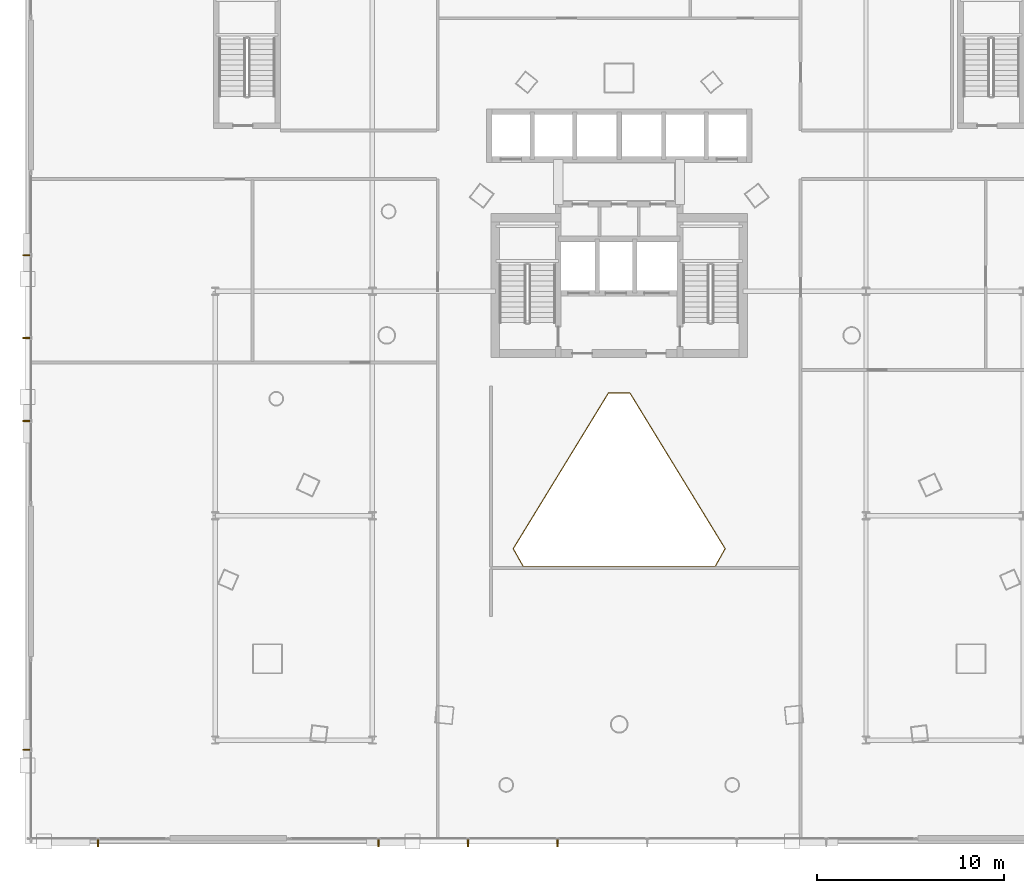
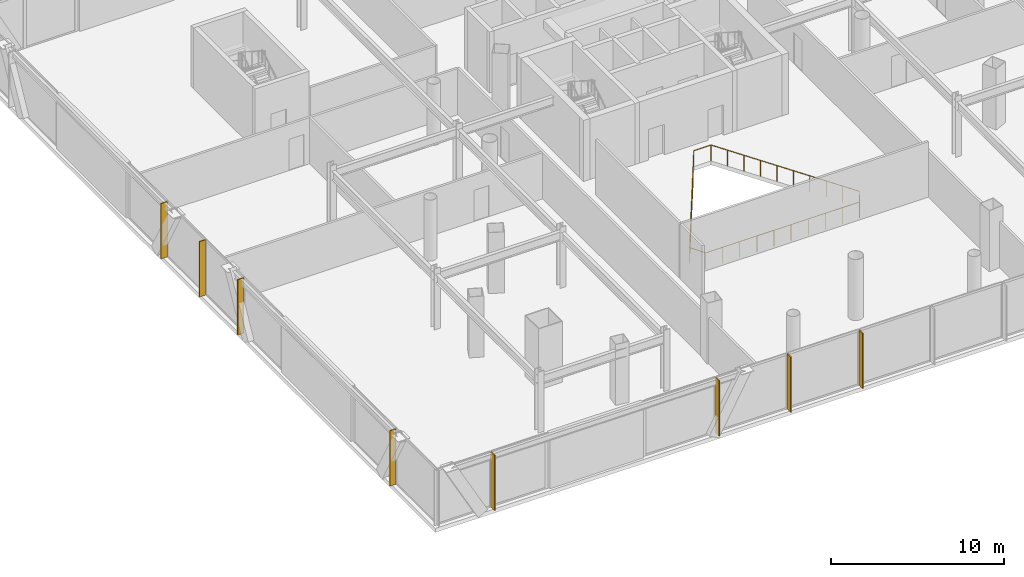
# One storey, part 40 of 46: 8 shading devices, 1 railing.
"""IFC4 building model written with IfcOpenShell, lengths in metres."""

from ifc_helpers import new_model, si_unit, direction, frame, origin, origin_2d, place, context, subcontext, project, spatial, rectangle, circle, extrude, material, layer, layer_set, type_object, element, save


model = new_model("IFC4")

# Units and contexts
model_context = context("Model", 3, precision=1e-05, world=origin(), true_north=direction((0.0, 1.0)))
body_context = subcontext(model_context, "Body", "Model", "MODEL_VIEW")
ifc_project = project(units=[si_unit("LENGTHUNIT", "METRE"), si_unit("AREAUNIT", "SQUARE_METRE"), si_unit("VOLUMEUNIT", "CUBIC_METRE"), si_unit("PLANEANGLEUNIT", "RADIAN"), si_unit("MASSUNIT", "GRAM", prefix="KILO")], contexts=[model_context])

# Site, building, storey
site_placement = place(None, origin())
site = spatial("IfcSite", under=ifc_project, at=site_placement, CompositionType="ELEMENT")
building_placement = place(site_placement, origin())
building = spatial("IfcBuilding", under=site, at=building_placement, Name="Orvanel Arch Residences", CompositionType="ELEMENT")
storey_placement = place(building_placement, frame((0.0, 0.0, 14.10009765625)))
storey = spatial("IfcBuildingStorey", under=building, at=storey_placement, Name="L03", CompositionType="ELEMENT", Elevation=14.10009765625)

# Shading devices
ifc_material = material(Name="Bronze-anodised aluminium AA6063-T6", Category="aluminium")
ifc_layer = layer(ifc_material, 0.06494140625)
ifc_layer_set = layer_set([ifc_layer], Name="Bronze-anodised aluminium AA6063-T6")
shading_device_type = type_object("IfcShadingDeviceType", Name="FIN-BRZ-420", PredefinedType="USERDEFINED", material=ifc_layer_set)
for number, where, z_axis, x_axis, name in (
    (1, (5.135009765625, 0.510009765625, 0.0), (0.0, 0.0, 1.0), (0.0, -1.0, 0.0), "L03 Anodised Bronze Mullion FIN 01"),
    (2, (20.12890625, 0.510009765625, 0.0), (0.0, 0.0, 1.0), (0.0, -1.0, 0.0), "L03 Anodised Bronze Mullion FIN 01"),
    (3, (24.9169921875, 0.510009765625, 0.0), (0.0, 0.0, 1.0), (0.0, -1.0, 0.0), "L03 Anodised Bronze Mullion FIN 02"),
    (4, (29.7060546875, 0.510009765625, 0.0), (0.0, 0.0, 1.0), (0.0, -1.0, 0.0), "L03 Anodised Bronze Mullion FIN 03"),
    (5, (1.31005859375, 5.485107421875, 0.0), (0.0, 0.0, 1.0), (-1.0, 0.0, 0.0), "L03 Anodised Bronze Mullion FIN 01"),
    (6, (1.31005859375, 31.929931640625, 0.0), (0.0, 0.0, 1.0), (-1.0, 0.0, 0.0), "L03 Anodised Bronze Mullion FIN 01"),
    (7, (1.31005859375, 27.5, 0.0), (0.0, 0.0, 1.0), (-1.0, 0.0, 0.0), "L03 Anodised Bronze Mullion FIN 02"),
    (8, (1.31005859375, 23.070068359375, 0.0), (0.0, 0.0, 1.0), (-1.0, 0.0, 0.0), "L03 Anodised Bronze Mullion FIN 03"),
):
    element("IfcShadingDevice", number, at=place(storey_placement, frame(where, z_axis=z_axis, x_axis=x_axis)), inside=storey, type_object=shading_device_type, Name=name, ObjectType="FIN", PredefinedType="USERDEFINED", context=body_context, shape_type="SweptSolid", body=[
        extrude(rectangle(XDim=0.419921875, YDim=0.06494140625, at=origin_2d()), origin(), (0.0, 0.0, 1.0), 3.89990234375),
    ])

# Railing
railing_type = type_object("IfcRailingType", Name="RL-ATR-1150", PredefinedType="BALUSTRADE", material=ifc_material)
railing_placement = place(storey_placement, frame((33.573974609375, 24.56103515625, 0.0)))
element("IfcRailing", 9, at=railing_placement, inside=storey, type_object=railing_type, Name="L03 Atrium Overlook Balustrade", PredefinedType="BALUSTRADE", context=body_context, shape_type="SweptSolid", body=[
    extrude(circle(Radius=0.02392578125, at=origin_2d()), frame((-0.00146484375, 0.0, 1.1259765625), z_axis=(-1.0, 0.0, 0.0), x_axis=(0.0, -1.0, 0.0)), (0.0, 0.0, 1.0), 1.14501953125),
    extrude(circle(Radius=0.02392578125, at=origin_2d()), frame((-1.148681640625, -0.001220703125, 1.1259765625), z_axis=(-0.521588691776, -0.853197067864, 0.0), x_axis=(0.853197067864, -0.521588691776, 0.0)), (0.0, 0.0, 1.0), 9.751953125),
    extrude(circle(Radius=0.02392578125, at=origin_2d()), frame((-6.2353515625, -8.32421875, 1.1259765625), z_axis=(0.489894911212, -0.871781495542, 0.0), x_axis=(0.871781495542, 0.489894911212, 0.0)), (0.0, 0.0, 1.0), 1.072998046875),
    extrude(circle(Radius=0.02392578125, at=origin_2d()), frame((-5.70751953125, -9.260986328125, 1.1259765625), z_axis=(1.0, 0.0, 0.0), x_axis=(0.0, 1.0, 0.0)), (0.0, 0.0, 1.0), 10.26708984375),
    extrude(circle(Radius=0.02392578125, at=origin_2d()), frame((4.561767578125, -9.259765625, 1.1259765625), z_axis=(0.489894911212, 0.871781495542, 0.0), x_axis=(-0.871781495542, 0.489894911212, 0.0)), (0.0, 0.0, 1.0), 1.072998046875),
    extrude(circle(Radius=0.02392578125, at=origin_2d()), frame((5.08740234375, -8.32177734375, 1.1259765625), z_axis=(-0.521588691776, 0.853197067864, 0.0), x_axis=(-0.853197067864, -0.521588691776, 0.0)), (0.0, 0.0, 1.0), 9.751953125),
    extrude(circle(Radius=0.02099609375, at=origin_2d()), origin(), (0.0, 0.0, 1.0), 1.099853515625),
    extrude(circle(Radius=0.02099609375, at=origin_2d()), frame((-1.14794921875, 0.0, 0.0)), (0.0, 0.0, 1.0), 1.099853515625),
    extrude(circle(Radius=0.02099609375, at=origin_2d()), frame((-1.71337890625, -0.9248046875, 0.0)), (0.0, 0.0, 1.0), 1.099853515625),
    extrude(circle(Radius=0.02099609375, at=origin_2d()), frame((-2.278564453125, -1.849609375, 0.0)), (0.0, 0.0, 1.0), 1.099853515625),
    extrude(circle(Radius=0.02099609375, at=origin_2d()), frame((-2.843994140625, -2.7744140625, 0.0)), (0.0, 0.0, 1.0), 1.099853515625),
    extrude(circle(Radius=0.02099609375, at=origin_2d()), frame((-3.409423828125, -3.69921875, 0.0)), (0.0, 0.0, 1.0), 1.099853515625),
    extrude(circle(Radius=0.02099609375, at=origin_2d()), frame((-3.974609375, -4.623779296875, 0.0)), (0.0, 0.0, 1.0), 1.099853515625),
    extrude(circle(Radius=0.02099609375, at=origin_2d()), frame((-4.5400390625, -5.548583984375, 0.0)), (0.0, 0.0, 1.0), 1.099853515625),
    extrude(circle(Radius=0.02099609375, at=origin_2d()), frame((-5.10546875, -6.473388671875, 0.0)), (0.0, 0.0, 1.0), 1.099853515625),
    extrude(circle(Radius=0.02099609375, at=origin_2d()), frame((-5.670654296875, -7.398193359375, 0.0)), (0.0, 0.0, 1.0), 1.099853515625),
    extrude(circle(Radius=0.02099609375, at=origin_2d()), frame((-6.236083984375, -8.322998046875, 0.0)), (0.0, 0.0, 1.0), 1.099853515625),
    extrude(circle(Radius=0.02099609375, at=origin_2d()), frame((-5.708984375, -9.260986328125, 0.0)), (0.0, 0.0, 1.0), 1.099853515625),
    extrude(circle(Radius=0.02099609375, at=origin_2d()), frame((-4.56787109375, -9.260986328125, 0.0)), (0.0, 0.0, 1.0), 1.099853515625),
    extrude(circle(Radius=0.02099609375, at=origin_2d()), frame((-3.4267578125, -9.260986328125, 0.0)), (0.0, 0.0, 1.0), 1.099853515625),
    extrude(circle(Radius=0.02099609375, at=origin_2d()), frame((-2.28564453125, -9.260986328125, 0.0)), (0.0, 0.0, 1.0), 1.099853515625),
    extrude(circle(Radius=0.02099609375, at=origin_2d()), frame((-1.14453125, -9.260986328125, 0.0)), (0.0, 0.0, 1.0), 1.099853515625),
    extrude(circle(Radius=0.02099609375, at=origin_2d()), frame((-0.00341796875, -9.260986328125, 0.0)), (0.0, 0.0, 1.0), 1.099853515625),
    extrude(circle(Radius=0.02099609375, at=origin_2d()), frame((1.1376953125, -9.260986328125, 0.0)), (0.0, 0.0, 1.0), 1.099853515625),
    extrude(circle(Radius=0.02099609375, at=origin_2d()), frame((2.27880859375, -9.260986328125, 0.0)), (0.0, 0.0, 1.0), 1.099853515625),
    extrude(circle(Radius=0.02099609375, at=origin_2d()), frame((3.419921875, -9.260986328125, 0.0)), (0.0, 0.0, 1.0), 1.099853515625),
    extrude(circle(Radius=0.02099609375, at=origin_2d()), frame((4.56103515625, -9.260986328125, 0.0)), (0.0, 0.0, 1.0), 1.099853515625),
    extrude(circle(Radius=0.02099609375, at=origin_2d()), frame((5.088134765625, -8.322998046875, 0.0)), (0.0, 0.0, 1.0), 1.099853515625),
    extrude(circle(Radius=0.02099609375, at=origin_2d()), frame((4.522705078125, -7.398193359375, 0.0)), (0.0, 0.0, 1.0), 1.099853515625),
    extrude(circle(Radius=0.02099609375, at=origin_2d()), frame((3.95751953125, -6.473388671875, 0.0)), (0.0, 0.0, 1.0), 1.099853515625),
    extrude(circle(Radius=0.02099609375, at=origin_2d()), frame((3.39208984375, -5.548583984375, 0.0)), (0.0, 0.0, 1.0), 1.099853515625),
    extrude(circle(Radius=0.02099609375, at=origin_2d()), frame((2.82666015625, -4.623779296875, 0.0)), (0.0, 0.0, 1.0), 1.099853515625),
    extrude(circle(Radius=0.02099609375, at=origin_2d()), frame((2.261474609375, -3.69921875, 0.0)), (0.0, 0.0, 1.0), 1.099853515625),
    extrude(circle(Radius=0.02099609375, at=origin_2d()), frame((1.696044921875, -2.7744140625, 0.0)), (0.0, 0.0, 1.0), 1.099853515625),
    extrude(circle(Radius=0.02099609375, at=origin_2d()), frame((1.130615234375, -1.849609375, 0.0)), (0.0, 0.0, 1.0), 1.099853515625),
    extrude(circle(Radius=0.02099609375, at=origin_2d()), frame((0.5654296875, -0.9248046875, 0.0)), (0.0, 0.0, 1.0), 1.099853515625),
])

save(model, "model.ifc")
